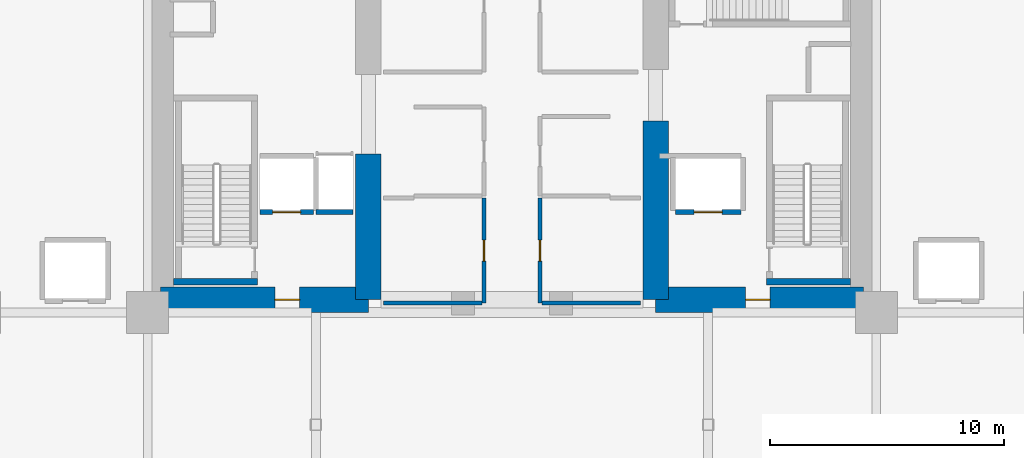
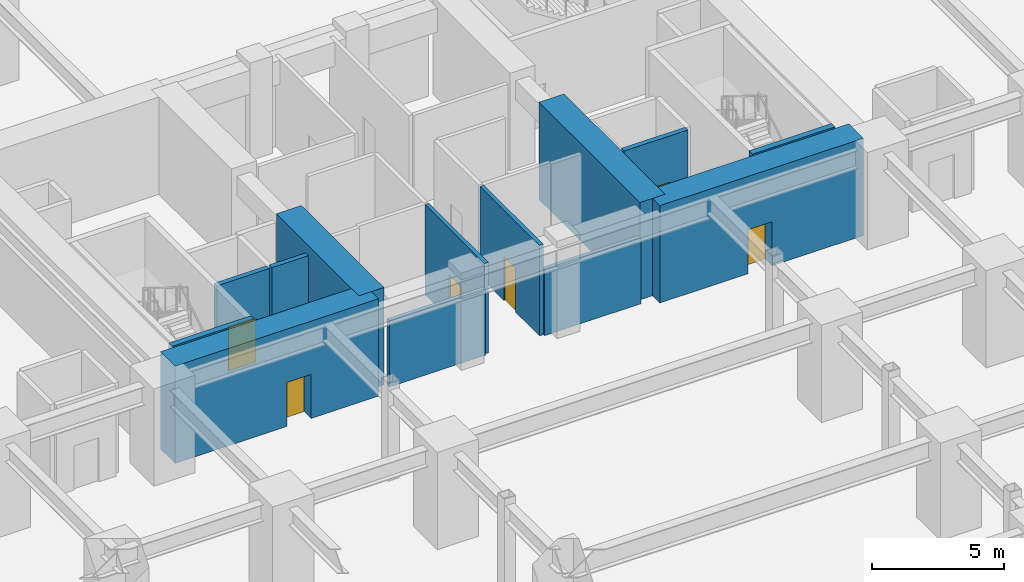
# One storey, part 9 of 20: 13 walls, 6 doors, 6 openings.
"""IFC4 building model written with IfcOpenShell, lengths in metres."""

from ifc_helpers import new_model, si_unit, direction, frame, frame_2d, origin, place, context, subcontext, project, spatial, rectangle, extrude, material, layer, layer_set, type_object, element, fill, save


model = new_model("IFC4")

# Units and contexts
model_context = context("Model", 3, precision=1e-05, world=origin(), true_north=direction((0.0, 1.0)))
body_context = subcontext(model_context, "Body", "Model", "MODEL_VIEW")
ifc_project = project(units=[si_unit("LENGTHUNIT", "METRE"), si_unit("AREAUNIT", "SQUARE_METRE"), si_unit("VOLUMEUNIT", "CUBIC_METRE"), si_unit("PLANEANGLEUNIT", "RADIAN"), si_unit("MASSUNIT", "GRAM", prefix="KILO")], contexts=[model_context])

# Site, building, storey
site_placement = place(None, origin())
site = spatial("IfcSite", under=ifc_project, at=site_placement, CompositionType="ELEMENT")
building_placement = place(site_placement, origin())
building = spatial("IfcBuilding", under=site, at=building_placement, Name="Kiyonajd Concourse Tower", CompositionType="ELEMENT")
storey_placement = place(building_placement, frame((0.0, 0.0, -4.5)))
storey = spatial("IfcBuildingStorey", under=building, at=storey_placement, Name="B1", CompositionType="ELEMENT", Elevation=-4.5)

# Wall
ifc_material_1 = material(Name="Concrete C80/95", Category="concrete")
ifc_layer_1 = layer(ifc_material_1, 1.10009765625)
ifc_layer_set_1 = layer_set([ifc_layer_1], Name="Concrete C80/95")
wall_type_1 = type_object("IfcWallType", Name="WL-CORE-1100", PredefinedType="SHEAR", material=ifc_layer_set_1)
wall_1_placement = place(storey_placement, frame((41.85009765625, 28.14990234375, 0.0), z_axis=(0.0, 0.0, 1.0), x_axis=(0.0, 1.0, 0.0)))
element("IfcWall", 1, at=wall_1_placement, inside=storey, type_object=wall_type_1, Name="B1 West Core Inner South Shear Wall", PredefinedType="SHEAR", context=body_context, shape_type="SweptSolid", body=[
    extrude(rectangle(XDim=6.25, YDim=1.10009765625, at=frame_2d((3.125, 0.0))), origin(), (0.0, 0.0, 1.0), 4.5),
])

# Wall, opening, door
wall_2_placement = place(storey_placement, frame((32.949951171875, 28.14990234375, 0.0), z_axis=(0.0, 0.0, 1.0), x_axis=(1.0, 0.0, 0.0)))
wall_2 = element("IfcWall", 2, at=wall_2_placement, inside=storey, type_object=wall_type_1, Name="B1 West Core South Shear Wall", PredefinedType="SHEAR", context=body_context, shape_type="SweptSolid", body=[
    extrude(rectangle(XDim=8.900146484375, YDim=1.10009765625, at=frame_2d((4.4501953125, 0.0))), origin(), (0.0, 0.0, 1.0), 4.5),
])
opening_1_placement = place(wall_2_placement, frame((4.89990234375, 0.0, 0.0)))
opening_1 = element("IfcOpeningElement", 3, at=opening_1_placement, cuts=wall_2, Name="Opening DF5", PredefinedType="OPENING", context=body_context, shape_type="SweptSolid", body=[
    extrude(rectangle(XDim=1.050048828125, YDim=2.0400390625, at=frame_2d((0.52490234375, 1.02001953125))), frame((0.0, 0.56005859375, 0.0), z_axis=(0.0, -1.0, 0.0), x_axis=(1.0, 0.0, 0.0)), (0.0, 0.0, 1.0), 1.1201171875),
])
ifc_material_2 = material(Name="Brushed Stainless Steel Cab Assembly", Category="steel")
door_type_1 = type_object("IfcDoorType", Name="DR-FD45-1050", OperationType="NOTDEFINED", PredefinedType="DOOR", material=ifc_material_2)
door_1_placement = place(opening_1_placement, origin())
door_1 = element("IfcDoor", 4, at=door_1_placement, inside=storey, type_object=door_type_1, Name="B1 Firefighting Lift Lobby W Smoke Door", OperationType="SINGLE_SWING_LEFT", OverallHeight=2.0400390625, OverallWidth=1.050048828125, PredefinedType="DOOR", context=body_context, shape_type="SweptSolid", body=[
    extrude(rectangle(XDim=1.050048828125, YDim=2.0400390625, at=frame_2d((0.52490234375, 1.02001953125))), frame((0.0, 0.02490234375, 0.0), z_axis=(0.0, -1.0, 0.0), x_axis=(1.0, 0.0, 0.0)), (0.0, 0.0, 1.0), 0.050048828125),
])
fill(opening_1, door_1)

# Wall
wall_3_placement = place(storey_placement, frame((54.14990234375, 28.14990234375, 0.0), z_axis=(0.0, 0.0, 1.0), x_axis=(0.0, 1.0, 0.0)))
element("IfcWall", 5, at=wall_3_placement, inside=storey, type_object=wall_type_1, Name="B1 East Core Inner South Shear Wall", PredefinedType="SHEAR", context=body_context, shape_type="SweptSolid", body=[
    extrude(rectangle(XDim=7.650146484375, YDim=1.10009765625, at=frame_2d((3.8251953125, 0.0))), origin(), (0.0, 0.0, 1.0), 4.5),
])

# Wall, opening, door
wall_4_placement = place(storey_placement, frame((54.14990234375, 28.14990234375, 0.0), z_axis=(0.0, 0.0, 1.0), x_axis=(1.0, 0.0, 0.0)))
wall_4 = element("IfcWall", 6, at=wall_4_placement, inside=storey, type_object=wall_type_1, Name="B1 East Core South Shear Wall", PredefinedType="SHEAR", context=body_context, shape_type="SweptSolid", body=[
    extrude(rectangle(XDim=8.900146484375, YDim=1.10009765625, at=frame_2d((4.4501953125, 0.0))), origin(), (0.0, 0.0, 1.0), 4.5),
])
opening_2_placement = place(wall_4_placement, frame((3.85009765625, 0.0, 0.0)))
opening_2 = element("IfcOpeningElement", 7, at=opening_2_placement, cuts=wall_4, Name="Opening DF5", PredefinedType="OPENING", context=body_context, shape_type="SweptSolid", body=[
    extrude(rectangle(XDim=1.050048828125, YDim=2.0400390625, at=frame_2d((0.52490234375, 1.02001953125))), frame((0.0, 0.56005859375, 0.0), z_axis=(0.0, -1.0, 0.0), x_axis=(1.0, 0.0, 0.0)), (0.0, 0.0, 1.0), 1.1201171875),
])
door_2_placement = place(opening_2_placement, origin())
door_2 = element("IfcDoor", 8, at=door_2_placement, inside=storey, type_object=door_type_1, Name="B1 Firefighting Lift Lobby E Smoke Door", OperationType="SINGLE_SWING_RIGHT", OverallHeight=2.0400390625, OverallWidth=1.050048828125, PredefinedType="DOOR", context=body_context, shape_type="SweptSolid", body=[
    extrude(rectangle(XDim=1.050048828125, YDim=2.0400390625, at=frame_2d((0.52490234375, 1.02001953125))), frame((0.0, 0.02490234375, 0.0), z_axis=(0.0, -1.0, 0.0), x_axis=(1.0, 0.0, 0.0)), (0.0, 0.0, 1.0), 0.050048828125),
])
fill(opening_2, door_2)

ifc_material_3 = material(Name="Gypsum Board on Cold-Formed Steel Stud", Category="steel")
ifc_layer_2 = layer(ifc_material_3, 0.2099609375)
ifc_layer_set_2 = layer_set([ifc_layer_2], Name="Gypsum Board on Cold-Formed Steel Stud")
wall_type_2 = type_object("IfcWallType", Name="WL-SHAFT-210", PredefinedType="PARTITIONING", material=ifc_layer_set_2)
wall_5_placement = place(storey_placement, frame((37.199951171875, 31.89990234375, 0.0), z_axis=(0.0, 0.0, 1.0), x_axis=(1.0, 0.0, 0.0)))
wall_5 = element("IfcWall", 9, at=wall_5_placement, inside=storey, type_object=wall_type_2, Name="B1 Shaft Enclosure Wall", PredefinedType="PARTITIONING", context=body_context, shape_type="SweptSolid", body=[
    extrude(rectangle(XDim=2.300048828125, YDim=0.2099609375, at=frame_2d((1.14990234375, 0.0))), origin(), (0.0, 0.0, 1.0), 4.179931640625),
])
opening_3_placement = place(wall_5_placement, frame((0.550048828125, 0.0, 0.0)))
opening_3 = element("IfcOpeningElement", 10, at=opening_3_placement, cuts=wall_5, Name="Opening LD2", PredefinedType="OPENING", context=body_context, shape_type="SweptSolid", body=[
    extrude(rectangle(XDim=1.199951171875, YDim=2.0400390625, at=frame_2d((0.60009765625, 1.02001953125))), frame((0.0, 0.114990234375, 0.0), z_axis=(0.0, -1.0, 0.0), x_axis=(1.0, 0.0, 0.0)), (0.0, 0.0, 1.0), 0.22998046875),
])
door_type_2 = type_object("IfcDoorType", Name="DR-LD-1200", OperationType="DOUBLE_DOOR_SLIDING", PredefinedType="DOOR", material=ifc_material_2)
door_3_placement = place(opening_3_placement, origin())
door_3 = element("IfcDoor", 11, at=door_3_placement, inside=storey, type_object=door_type_2, Name="B1 Lift FFL1 Sliding Landing Door", OperationType="DOUBLE_DOOR_SLIDING", OverallHeight=2.0400390625, OverallWidth=1.199951171875, PredefinedType="DOOR", context=body_context, shape_type="SweptSolid", body=[
    extrude(rectangle(XDim=1.199951171875, YDim=2.0400390625, at=frame_2d((0.60009765625, 1.02001953125))), frame((0.0, 0.02490234375, 0.0), z_axis=(0.0, -1.0, 0.0), x_axis=(1.0, 0.0, 0.0)), (0.0, 0.0, 1.0), 0.050048828125),
])
fill(opening_3, door_3)

wall_6_placement = place(storey_placement, frame((55.0, 31.89990234375, 0.0), z_axis=(0.0, 0.0, 1.0), x_axis=(1.0, 0.0, 0.0)))
wall_6 = element("IfcWall", 12, at=wall_6_placement, inside=storey, type_object=wall_type_2, Name="B1 Shaft Enclosure Wall", PredefinedType="PARTITIONING", context=body_context, shape_type="SweptSolid", body=[
    extrude(rectangle(XDim=2.800048828125, YDim=0.2099609375, at=frame_2d((1.39990234375, 0.0))), origin(), (0.0, 0.0, 1.0), 4.179931640625),
])
opening_4_placement = place(wall_6_placement, frame((0.800048828125, 0.0, 0.0)))
opening_4 = element("IfcOpeningElement", 13, at=opening_4_placement, cuts=wall_6, Name="Opening LD2", PredefinedType="OPENING", context=body_context, shape_type="SweptSolid", body=[
    extrude(rectangle(XDim=1.199951171875, YDim=2.0400390625, at=frame_2d((0.60009765625, 1.02001953125))), frame((0.0, 0.114990234375, 0.0), z_axis=(0.0, -1.0, 0.0), x_axis=(1.0, 0.0, 0.0)), (0.0, 0.0, 1.0), 0.22998046875),
])
door_4_placement = place(opening_4_placement, origin())
door_4 = element("IfcDoor", 14, at=door_4_placement, inside=storey, type_object=door_type_2, Name="B1 Lift FFL2 Sliding Landing Door", OperationType="DOUBLE_DOOR_SLIDING", OverallHeight=2.0400390625, OverallWidth=1.199951171875, PredefinedType="DOOR", context=body_context, shape_type="SweptSolid", body=[
    extrude(rectangle(XDim=1.199951171875, YDim=2.0400390625, at=frame_2d((0.60009765625, 1.02001953125))), frame((0.0, 0.02490234375, 0.0), z_axis=(0.0, -1.0, 0.0), x_axis=(1.0, 0.0, 0.0)), (0.0, 0.0, 1.0), 0.050048828125),
])
fill(opening_4, door_4)

# Wall
wall_7_placement = place(storey_placement, frame((39.60009765625, 31.89990234375, 0.0), z_axis=(0.0, 0.0, 1.0), x_axis=(1.0, 0.0, 0.0)))
element("IfcWall", 15, at=wall_7_placement, inside=storey, type_object=wall_type_2, Name="B1 Shaft Enclosure Wall", PredefinedType="PARTITIONING", context=body_context, shape_type="SweptSolid", body=[
    extrude(rectangle(XDim=1.599853515625, YDim=0.2099609375, at=frame_2d((0.7998046875, 0.0))), origin(), (0.0, 0.0, 1.0), 4.179931640625),
])

# Wall, opening, door
ifc_layer_3 = layer(ifc_material_3, 0.169921875)
ifc_layer_set_3 = layer_set([ifc_layer_3], Name="Gypsum Board on Cold-Formed Steel Stud")
wall_type_3 = type_object("IfcWallType", Name="WL-SMK-170", PredefinedType="PARTITIONING", material=ifc_layer_set_3)
wall_8_placement = place(storey_placement, frame((46.800048828125, 28.0, 0.0), z_axis=(0.0, 0.0, 1.0), x_axis=(0.0, 1.0, 0.0)))
wall_8 = element("IfcWall", 16, at=wall_8_placement, inside=storey, type_object=wall_type_3, Name="B1 Interior Partition Wall", PredefinedType="PARTITIONING", context=body_context, shape_type="SweptSolid", body=[
    extrude(rectangle(XDim=4.5, YDim=0.169921875, at=frame_2d((2.25, 0.0))), origin(), (0.0, 0.0, 1.0), 4.179931640625),
])
opening_5_placement = place(wall_8_placement, frame((1.800048828125, 0.0, 0.0)))
opening_5 = element("IfcOpeningElement", 17, at=opening_5_placement, cuts=wall_8, Name="Opening DI2", PredefinedType="OPENING", context=body_context, shape_type="SweptSolid", body=[
    extrude(rectangle(XDim=0.89990234375, YDim=2.02001953125, at=frame_2d((0.449951171875, 1.010009765625))), frame((0.0, 0.094970703125, 0.0), z_axis=(0.0, -1.0, 0.0), x_axis=(1.0, 0.0, 0.0)), (0.0, 0.0, 1.0), 0.18994140625),
])
ifc_material_4 = material(Name="Natural Oak Acoustic Timber Veneer", Category="wood")
door_type_3 = type_object("IfcDoorType", Name="DR-INT-900", OperationType="NOTDEFINED", PredefinedType="DOOR", material=ifc_material_4)
door_5_placement = place(opening_5_placement, origin())
door_5 = element("IfcDoor", 18, at=door_5_placement, inside=storey, type_object=door_type_3, Name="B1 Interior Door", OperationType="SINGLE_SWING_LEFT", OverallHeight=2.02001953125, OverallWidth=0.89990234375, PredefinedType="DOOR", context=body_context, shape_type="SweptSolid", body=[
    extrude(rectangle(XDim=0.89990234375, YDim=2.02001953125, at=frame_2d((0.449951171875, 1.010009765625))), frame((0.0, 0.02490234375, 0.0), z_axis=(0.0, -1.0, 0.0), x_axis=(1.0, 0.0, 0.0)), (0.0, 0.0, 1.0), 0.050048828125),
])
fill(opening_5, door_5)

# Wall
wall_9_placement = place(storey_placement, frame((42.5, 28.0, 0.0), z_axis=(0.0, 0.0, 1.0), x_axis=(1.0, 0.0, 0.0)))
element("IfcWall", 19, at=wall_9_placement, inside=storey, type_object=wall_type_3, Name="B1 Interior Partition Wall", PredefinedType="PARTITIONING", context=body_context, shape_type="SweptSolid", body=[
    extrude(rectangle(XDim=4.212890625, YDim=0.169921875, at=frame_2d((2.1064453125, 0.0))), origin(), (0.0, 0.0, 1.0), 3.06494140625),
])

# Wall, opening, door
wall_10_placement = place(storey_placement, frame((49.199951171875, 28.0, 0.0), z_axis=(0.0, 0.0, 1.0), x_axis=(0.0, 1.0, 0.0)))
wall_10 = element("IfcWall", 20, at=wall_10_placement, inside=storey, type_object=wall_type_3, Name="B1 Interior Partition Wall", PredefinedType="PARTITIONING", context=body_context, shape_type="SweptSolid", body=[
    extrude(rectangle(XDim=4.5, YDim=0.169921875, at=frame_2d((2.25, 0.0))), origin(), (0.0, 0.0, 1.0), 4.179931640625),
])
opening_6_placement = place(wall_10_placement, frame((1.800048828125, 0.0, 0.0)))
opening_6 = element("IfcOpeningElement", 21, at=opening_6_placement, cuts=wall_10, Name="Opening DI2", PredefinedType="OPENING", context=body_context, shape_type="SweptSolid", body=[
    extrude(rectangle(XDim=0.89990234375, YDim=2.02001953125, at=frame_2d((0.449951171875, 1.010009765625))), frame((0.0, 0.094970703125, 0.0), z_axis=(0.0, -1.0, 0.0), x_axis=(1.0, 0.0, 0.0)), (0.0, 0.0, 1.0), 0.18994140625),
])
door_6_placement = place(opening_6_placement, origin())
door_6 = element("IfcDoor", 22, at=door_6_placement, inside=storey, type_object=door_type_3, Name="B1 Interior Door", OperationType="SINGLE_SWING_RIGHT", OverallHeight=2.02001953125, OverallWidth=0.89990234375, PredefinedType="DOOR", context=body_context, shape_type="SweptSolid", body=[
    extrude(rectangle(XDim=0.89990234375, YDim=2.02001953125, at=frame_2d((0.449951171875, 1.010009765625))), frame((0.0, 0.02490234375, 0.0), z_axis=(0.0, -1.0, 0.0), x_axis=(1.0, 0.0, 0.0)), (0.0, 0.0, 1.0), 0.050048828125),
])
fill(opening_6, door_6)

# Walls
wall_11_placement = place(storey_placement, frame((49.287109375, 28.0, 0.0), z_axis=(0.0, 0.0, 1.0), x_axis=(1.0, 0.0, 0.0)))
element("IfcWall", 23, at=wall_11_placement, inside=storey, type_object=wall_type_3, Name="B1 Interior Partition Wall", PredefinedType="PARTITIONING", context=body_context, shape_type="SweptSolid", body=[
    extrude(rectangle(XDim=4.212890625, YDim=0.169921875, at=frame_2d((2.1064453125, 0.0))), origin(), (0.0, 0.0, 1.0), 3.06494140625),
])
ifc_material_5 = material(Name="Concrete C50/60", Category="concrete")
ifc_layer_4 = layer(ifc_material_5, 0.260009765625)
ifc_layer_set_4 = layer_set([ifc_layer_4], Name="Concrete C50/60")
wall_type_4 = type_object("IfcWallType", Name="WL-STAIR-260", PredefinedType="SHEAR", material=ifc_layer_set_4)
for number, where, z_axis, x_axis, name in (
    (24, (33.5, 28.919921875, 0.0), (0.0, 0.0, 1.0), (1.0, 0.0, 0.0), "B1 Stair ST1 Structural South Wall"),
    (25, (58.889892578125, 28.919921875, 0.0), (0.0, 0.0, 1.0), (1.0, 0.0, 0.0), "B1 Stair ST2 Structural South Wall"),
):
    element("IfcWall", number, at=place(storey_placement, frame(where, z_axis=z_axis, x_axis=x_axis)), inside=storey, type_object=wall_type_4, Name=name, PredefinedType="SHEAR", context=body_context, shape_type="SweptSolid", body=[
        extrude(rectangle(XDim=3.610107421875, YDim=0.260009765625, at=frame_2d((1.80517578125, 0.0))), origin(), (0.0, 0.0, 1.0), 4.5),
    ])

save(model, "model.ifc")
